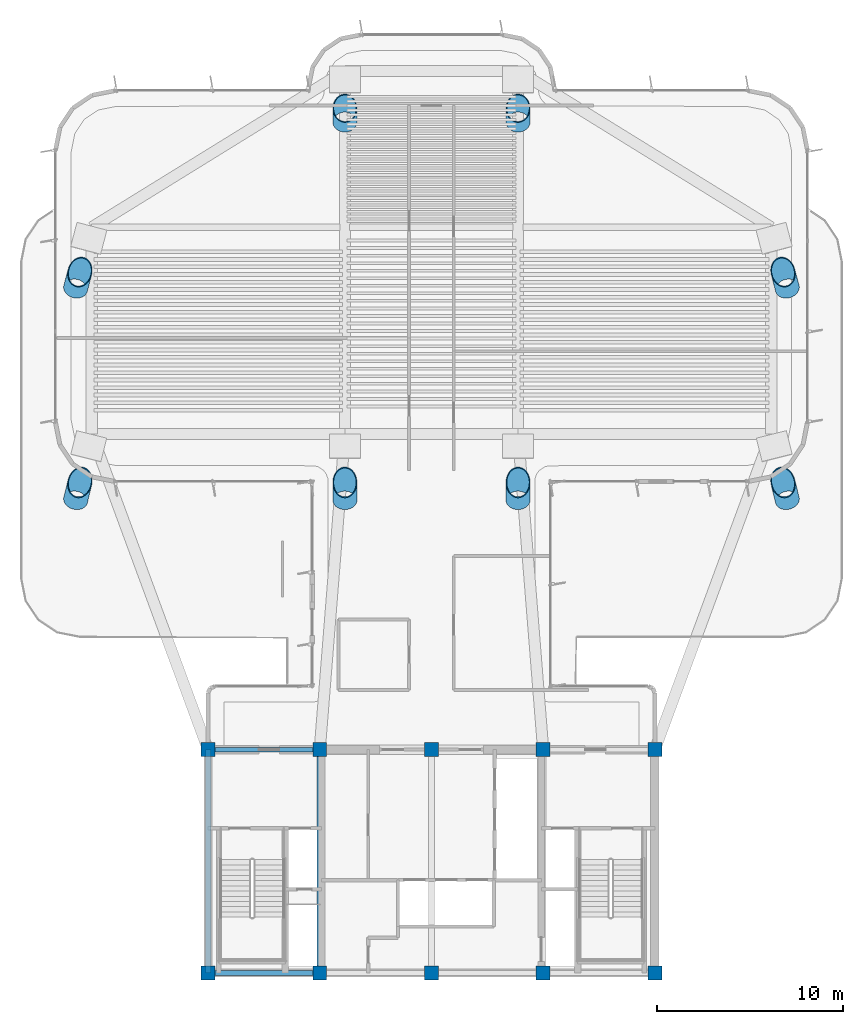
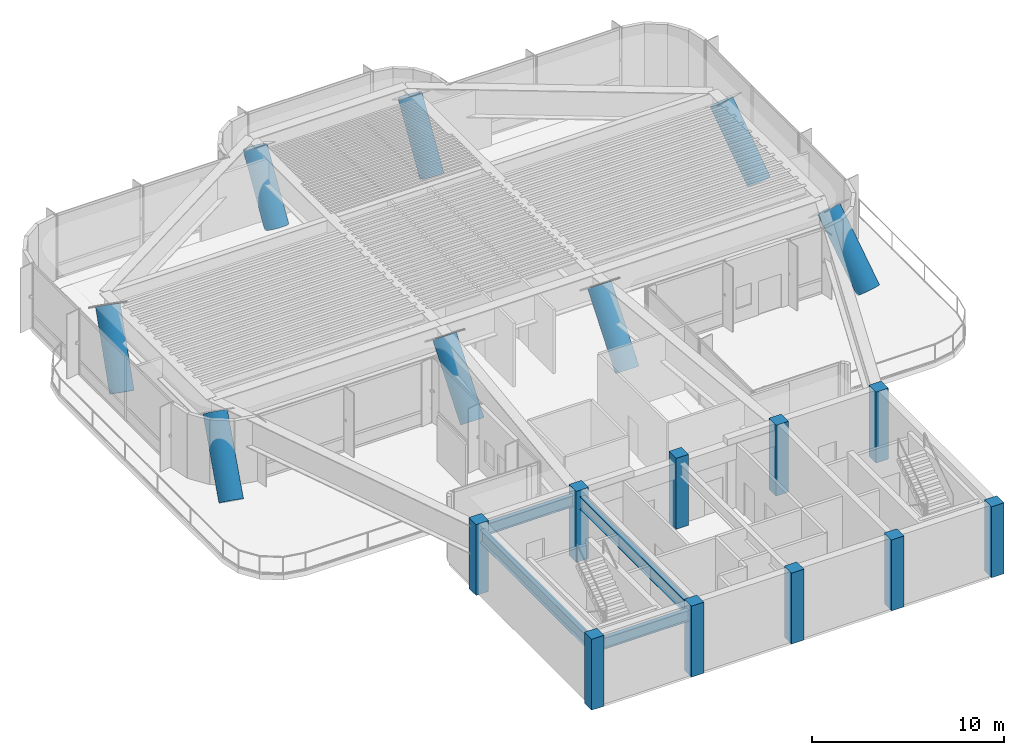
# One storey, part 1 of 13: 18 columns, 4 beams.
"""IFC4 building model written with IfcOpenShell, lengths in metres."""

import ifcopenshell
import ifcopenshell.guid

model = None  # the IFC model being written
_history = None  # IfcOwnerHistory: only IFC2X3 demands one
_inside = {}  # id of a spatial element -> (the spatial element, [elements in it])
_under = {}  # id of a project, library or spatial element -> (it, [spatial elements below it])
_declared = {}  # id of a project -> (the project, [libraries it declares])
_typed = {}  # id of a type object -> (the type object, [elements of that type])
_made_of = {}  # id of a material, layer set ... -> (it, [elements and type objects made of it])


def new_model(schema):
    """Start an empty IFC model of exactly this schema.

    Asked for "IFC4X3", IfcOpenShell would pick the latest addendum, in which some entities
    have other attributes; the version numbers below select the first issue.
    IFC2X3 requires an IfcOwnerHistory on every rooted entity: one is made here for all.
    """
    global model, _history
    if schema == "IFC4X3":
        model = ifcopenshell.file(schema_version=(4, 3, 0, 0))
    else:
        model = ifcopenshell.file(schema=schema)
    _inside.clear()
    _under.clear()
    _declared.clear()
    _typed.clear()
    _made_of.clear()
    _history = None
    if model.schema == "IFC2X3":
        org = make("IfcOrganization", Name="unknown")
        user = make(
            "IfcPersonAndOrganization",
            ThePerson=make("IfcPerson", FamilyName="unknown"),
            TheOrganization=org,
        )
        app = make(
            "IfcApplication",
            ApplicationDeveloper=org,
            Version="unknown",
            ApplicationFullName="unknown",
            ApplicationIdentifier="unknown",
        )
        _history = make(
            "IfcOwnerHistory",
            OwningUser=user,
            OwningApplication=app,
            ChangeAction="ADDED",
            CreationDate=0,
        )
    return model


def make(cls, **values):
    """One entity of the class cls with the attributes given. An attribute that is None is left unset."""
    return model.create_entity(
        cls, **{name: value for name, value in values.items() if value is not None}
    )


def rooted(cls, **values):
    """An entity with a GlobalId (a new one), such as an element, a storey or a relation."""
    return make(cls, GlobalId=ifcopenshell.guid.new(), OwnerHistory=_history, **values)


def si_unit(unit_type, name, prefix=None):
    """IfcSIUnit, for example si_unit("LENGTHUNIT", "METRE", prefix="MILLI")."""
    return make("IfcSIUnit", UnitType=unit_type, Prefix=prefix, Name=name)


def assignment(units):
    """IfcUnitAssignment: the units of a project."""
    return None if units is None else make("IfcUnitAssignment", Units=units)


def point(xyz):
    """IfcCartesianPoint."""
    return None if xyz is None else make("IfcCartesianPoint", Coordinates=xyz)


def direction(xyz):
    """IfcDirection."""
    return None if xyz is None else make("IfcDirection", DirectionRatios=xyz)


def frame(location, z_axis=None, x_axis=None):
    """IfcAxis2Placement3D, a coordinate frame: its origin and axes. An axis left out is left unset."""
    return make(
        "IfcAxis2Placement3D",
        Location=point(location),
        Axis=direction(z_axis),
        RefDirection=direction(x_axis),
    )


def frame_2d(location, x_axis=None):
    """IfcAxis2Placement2D, a coordinate frame in the plane: its origin and x axis."""
    return make(
        "IfcAxis2Placement2D", Location=point(location), RefDirection=direction(x_axis)
    )


def origin():
    """The frame at (0, 0, 0) with its axes left unset."""
    return frame((0.0, 0.0, 0.0))


def origin_2d():
    """The frame at (0, 0) in the plane with its x axis left unset."""
    return frame_2d((0.0, 0.0))


def place(relative_to, where):
    """IfcLocalPlacement: puts the frame where relative to a parent placement (None: the world)."""
    return make(
        "IfcLocalPlacement", PlacementRelTo=relative_to, RelativePlacement=where
    )


def context(
    kind, dimensions, precision=None, world=None, true_north=None, identifier=None
):
    """IfcGeometricRepresentationContext, for example the 3D "Model" context."""
    return make(
        "IfcGeometricRepresentationContext",
        ContextIdentifier=identifier,
        ContextType=kind,
        CoordinateSpaceDimension=dimensions,
        Precision=precision,
        WorldCoordinateSystem=world,
        TrueNorth=true_north,
    )


def subcontext(parent, identifier, kind, view, scale=None):
    """IfcGeometricRepresentationSubContext, for example "Body" below "Model"."""
    return make(
        "IfcGeometricRepresentationSubContext",
        ContextIdentifier=identifier,
        ContextType=kind,
        ParentContext=parent,
        TargetScale=scale,
        TargetView=view,
    )


def project(units=None, contexts=None):
    """IfcProject with its units and contexts."""
    return rooted(
        "IfcProject",
        Name="project",
        RepresentationContexts=contexts,
        UnitsInContext=assignment(units),
    )


def spatial(cls, under=None, at=None, **own):
    """A site, building, storey or space (cls), placed at a placement, below another one or the project."""
    s = rooted(cls, ObjectPlacement=at, **own)
    if under is not None:
        _under.setdefault(under.id(), (under, []))[1].append(s)
    return s


def profile(cls, at=None, kind="AREA", **sizes):
    """A parametric profile (cls). Its sizes go by their IFC names, for example OverallWidth=200.0."""
    return make(cls, ProfileType=kind, Position=at, **sizes)


def rectangle(**sizes):
    """IfcRectangleProfileDef."""
    return profile("IfcRectangleProfileDef", **sizes)


def hollow_circle(**sizes):
    """IfcCircleHollowProfileDef."""
    return profile("IfcCircleHollowProfileDef", **sizes)


def i_section(**sizes):
    """IfcIShapeProfileDef."""
    return profile("IfcIShapeProfileDef", **sizes)


def extrude(swept, where, along, depth):
    """IfcExtrudedAreaSolid: the profile swept, set in the frame where, extruded along a direction by depth."""
    return make(
        "IfcExtrudedAreaSolid",
        SweptArea=swept,
        Position=where,
        ExtrudedDirection=direction(along),
        Depth=depth,
    )


def shape(context_of_items, identifier, shape_type, items):
    """IfcShapeRepresentation: the items that make up one representation, for example the "Body"."""
    return make(
        "IfcShapeRepresentation",
        ContextOfItems=context_of_items,
        RepresentationIdentifier=identifier,
        RepresentationType=shape_type,
        Items=items,
    )


def source(mapping_origin, context_of_items, identifier, shape_type, items):
    """IfcRepresentationMap: a shape defined once, which mapped items show again and again."""
    return make(
        "IfcRepresentationMap",
        MappingOrigin=mapping_origin,
        MappedRepresentation=shape(context_of_items, identifier, shape_type, items),
    )


def transform(
    local_origin,
    x_axis=None,
    y_axis=None,
    z_axis=None,
    scale=None,
    scale2=None,
    scale3=None,
    uniform=True,
):
    """IfcCartesianTransformationOperator3D, or its non-uniform kind. x_axis, y_axis, z_axis: its Axis1, 2, 3."""
    if uniform:
        return make(
            "IfcCartesianTransformationOperator3D",
            Axis1=direction(x_axis),
            Axis2=direction(y_axis),
            LocalOrigin=point(local_origin),
            Scale=scale,
            Axis3=direction(z_axis),
        )
    return make(
        "IfcCartesianTransformationOperator3DnonUniform",
        Axis1=direction(x_axis),
        Axis2=direction(y_axis),
        LocalOrigin=point(local_origin),
        Scale=scale,
        Axis3=direction(z_axis),
        Scale2=scale2,
        Scale3=scale3,
    )


def mapped(mapping_source, mapping_target):
    """IfcMappedItem: shows the shape of a source again, moved by a transform."""
    return make(
        "IfcMappedItem", MappingSource=mapping_source, MappingTarget=mapping_target
    )


def material(Name=None, Category=None):
    """IfcMaterial."""
    return make("IfcMaterial", Name=Name, Category=Category)


def material_profile(
    of_material, cross_section, Name=None, Category=None, Priority=None
):
    """IfcMaterialProfile: a cross section and its material."""
    return make(
        "IfcMaterialProfile",
        Name=Name,
        Material=of_material,
        Profile=cross_section,
        Priority=Priority,
        Category=Category,
    )


def profile_set(profiles, Name=None, composite=None):
    """IfcMaterialProfileSet."""
    return make(
        "IfcMaterialProfileSet",
        Name=Name,
        MaterialProfiles=profiles,
        CompositeProfile=composite,
    )


def made_of(thing, what):
    """Note that an element or type object is made of a material, layer set ...; save() writes the relation."""
    if what is not None:
        _made_of.setdefault(what.id(), (what, []))[1].append(thing)
    return thing


def type_object(cls, material=None, **own):
    """A type object (cls), such as IfcWallType, which elements share."""
    return made_of(rooted(cls, **own), material)


def element(
    cls,
    number,
    at=None,
    inside=None,
    cuts=None,
    type_object=None,
    material=None,
    context=None,
    identifier="Body",
    shape_type=None,
    held_by="IfcProductDefinitionShape",
    body=None,
    shapes=None,
    **own,
):
    """One element of the class cls, such as IfcWall. Its Tag is "e" and its number.

    at: its placement. inside: the storey or other place that contains it. cuts: it is an
    opening in that element (IfcRelVoidsElement). A single representation is given by context,
    identifier, shape_type and body (its items); several are given by shapes. held_by: the class
    of the entity that holds the representations. save() writes the other relations.
    """
    e = rooted(cls, Tag="e%d" % number, ObjectPlacement=at, **own)
    if body is not None:
        shapes = [shape(context, identifier, shape_type, body)]
    if shapes is not None:
        e.Representation = make(held_by, Representations=shapes)
    if inside is not None:
        _inside.setdefault(inside.id(), (inside, []))[1].append(e)
    if cuts is not None:
        rooted(
            "IfcRelVoidsElement", RelatingBuildingElement=cuts, RelatedOpeningElement=e
        )
    if type_object is not None:
        _typed.setdefault(type_object.id(), (type_object, []))[1].append(e)
    return made_of(e, material)


def aggregate(whole, parts):
    """IfcRelAggregates: a whole, such as a stair, and the parts it consists of."""
    return rooted("IfcRelAggregates", RelatingObject=whole, RelatedObjects=parts)


def save(model, path):
    """Write the relations noted so far, then the file.

    IfcRelAggregates (storeys below a building ...), IfcRelContainedInSpatialStructure (elements
    in a storey), IfcRelDefinesByType, IfcRelAssociatesMaterial and IfcRelDeclares: one each for
    every whole, place, type object, material and project.
    """
    for whole, parts in _under.values():
        aggregate(whole, parts)
    for where, things in _inside.values():
        rooted(
            "IfcRelContainedInSpatialStructure",
            RelatedElements=things,
            RelatingStructure=where,
        )
    for kind, things in _typed.values():
        rooted("IfcRelDefinesByType", RelatedObjects=things, RelatingType=kind)
    for what, things in _made_of.values():
        rooted("IfcRelAssociatesMaterial", RelatedObjects=things, RelatingMaterial=what)
    for by, libraries in _declared.values():
        rooted("IfcRelDeclares", RelatingContext=by, RelatedDefinitions=libraries)
    model.write(path)


model = new_model("IFC4")

# Units and contexts
model_context = context("Model", 3, precision=1e-05, world=origin(), true_north=direction((0.0, 1.0)))
body_context = subcontext(model_context, "Body", "Model", "MODEL_VIEW")
ifc_project = project(units=[si_unit("LENGTHUNIT", "METRE"), si_unit("AREAUNIT", "SQUARE_METRE"), si_unit("VOLUMEUNIT", "CUBIC_METRE"), si_unit("PLANEANGLEUNIT", "RADIAN"), si_unit("MASSUNIT", "GRAM", prefix="KILO")], contexts=[model_context])

# Site, building, storey
site_placement = place(None, origin())
site = spatial("IfcSite", under=ifc_project, at=site_placement, CompositionType="ELEMENT")
building_placement = place(site_placement, origin())
building = spatial("IfcBuilding", under=site, at=building_placement, Name="Brelvock Crest Care Tower", CompositionType="ELEMENT")
storey_placement = place(building_placement, frame((0.0, 0.0, 151.919921875)))
storey = spatial("IfcBuildingStorey", under=building, at=storey_placement, Name="L38", CompositionType="ELEMENT", Elevation=151.919921875)

# Columns
ifc_material_1 = material(Name="Concrete S65 (65 MPa)", Category="concrete")
ifc_material_profile_1 = material_profile(ifc_material_1, rectangle(XDim=0.75, YDim=0.75, at=origin_2d()), Name="RC750x750")
ifc_profile_set_1 = profile_set([ifc_material_profile_1], Name="Concrete S65 (65 MPa)")
column_type_1 = type_object("IfcColumnType", Name="COL-RC3", PredefinedType="COLUMN", material=ifc_profile_set_1)
shared_shape_1 = source(origin(), body_context, "Body", "SweptSolid", [
    extrude(rectangle(XDim=0.75, YDim=0.75, at=origin_2d()), origin(), (0.0, 0.0, 1.0), 4.5),
])
for number, where, z_axis, x_axis, name in (
    (1, (24.0, 6.0, 0.0), (0.0, 0.0, 1.0), (1.0, 0.0, 0.0), "L38 Core Column CC-01"),
    (2, (30.0, 6.0, 0.0), (0.0, 0.0, 1.0), (1.0, 0.0, 0.0), "L38 Core Column CC-02"),
    (3, (36.0, 6.0, 0.0), (0.0, 0.0, 1.0), (1.0, 0.0, 0.0), "L38 Core Column CC-03"),
    (4, (42.0, 6.0, 0.0), (0.0, 0.0, 1.0), (1.0, 0.0, 0.0), "L38 Core Column CC-04"),
    (5, (48.0, 6.0, 0.0), (0.0, 0.0, 1.0), (1.0, 0.0, 0.0), "L38 Core Column CC-05"),
    (6, (24.0, 18.0, 0.0), (0.0, 0.0, 1.0), (1.0, 0.0, 0.0), "L38 Core Column CC-06"),
    (7, (30.0, 18.0, 0.0), (0.0, 0.0, 1.0), (1.0, 0.0, 0.0), "L38 Core Column CC-07"),
    (8, (36.0, 18.0, 0.0), (0.0, 0.0, 1.0), (1.0, 0.0, 0.0), "L38 Core Column CC-08"),
    (9, (42.0, 18.0, 0.0), (0.0, 0.0, 1.0), (1.0, 0.0, 0.0), "L38 Core Column CC-09"),
    (10, (48.0, 18.0, 0.0), (0.0, 0.0, 1.0), (1.0, 0.0, 0.0), "L38 Core Column CC-10"),
):
    element("IfcColumn", number, at=place(storey_placement, frame(where, z_axis=z_axis, x_axis=x_axis)), inside=storey, type_object=column_type_1, Name=name, PredefinedType="COLUMN", context=body_context, shape_type="MappedRepresentation", body=[
        mapped(shared_shape_1, transform((0.0, 0.0, 0.0), x_axis=(1.0, 0.0, 0.0), y_axis=(0.0, 1.0, 0.0), z_axis=(0.0, 0.0, 1.0), scale=1.0)),
    ])
ifc_material_2 = material(Name="Steel Grade 350", Category="steel")
ifc_material_profile_2 = material_profile(ifc_material_2, hollow_circle(Radius=0.64990234375, WallThickness=0.044921875, at=origin_2d()), Name="CFT1300x45")
ifc_profile_set_2 = profile_set([ifc_material_profile_2], Name="Steel Grade 350")
column_type_2 = type_object("IfcColumnType", Name="COL-MC2", PredefinedType="COLUMN", material=ifc_profile_set_2)
shared_shape_2 = source(origin(), body_context, "Body", "SweptSolid", [
    extrude(hollow_circle(Radius=0.64990234375, WallThickness=0.044921875, at=origin_2d()), origin(), (0.0, 0.0, 1.0), 4.716796875),
])
for number, where, z_axis, x_axis, name in (
    (11, (16.886474609375, 31.404541015625, 0.0), (0.149069248521, 0.611960321271, 0.77671289698), (-0.97158950951, 0.236672400185, 0.0), "L38 Raked Mega-Column M1"),
    (12, (55.113525390625, 31.404541015625, 0.0), (-0.149069248521, 0.611960321271, 0.77671289698), (-0.97158950951, -0.236672400185, 0.0), "L38 Raked Mega-Column M3"),
):
    element("IfcColumn", number, at=place(storey_placement, frame(where, z_axis=z_axis, x_axis=x_axis)), inside=storey, type_object=column_type_2, Name=name, PredefinedType="COLUMN", context=body_context, shape_type="MappedRepresentation", body=[
        mapped(shared_shape_2, transform((0.0, 0.0, 0.0), x_axis=(1.0, 0.0, 0.0), y_axis=(0.0, 1.0, 0.0), z_axis=(0.0, 0.0, 1.0), scale=1.0)),
    ])
shared_shape_3 = source(origin(), body_context, "Body", "SweptSolid", [
    extrude(hollow_circle(Radius=0.64990234375, WallThickness=0.044921875, at=origin_2d()), origin(), (0.0, 0.0, 1.0), 4.607666015625),
])
for number, where, z_axis, x_axis, name in (
    (13, (16.886474609375, 42.77734375, 0.0), (0.153340545343, 0.581199876249, 0.79918294589), (-0.966913345059, 0.255105043359, 0.0), "L38 Raked Mega-Column M2"),
    (14, (55.113525390625, 42.77734375, 0.0), (-0.153340545343, 0.581199876249, 0.79918294589), (-0.966913345059, -0.255105043359, 0.0), "L38 Raked Mega-Column M4"),
):
    element("IfcColumn", number, at=place(storey_placement, frame(where, z_axis=z_axis, x_axis=x_axis)), inside=storey, type_object=column_type_2, Name=name, PredefinedType="COLUMN", context=body_context, shape_type="MappedRepresentation", body=[
        mapped(shared_shape_3, transform((0.0, 0.0, 0.0), x_axis=(1.0, 0.0, 0.0), y_axis=(0.0, 1.0, 0.0), z_axis=(0.0, 0.0, 1.0), scale=1.0)),
    ])
shared_shape_4 = source(origin(), body_context, "Body", "SweptSolid", [
    extrude(hollow_circle(Radius=0.64990234375, WallThickness=0.044921875, at=origin_2d()), origin(), (0.0, 0.0, 1.0), 4.67333984375),
])
for number, where, z_axis, x_axis, name in (
    (15, (31.35009765625, 31.404541015625, 0.0), (0.0, 0.618854644838, 0.785505524209), (-1.0, 0.0, 0.0), "L38 Raked Mega-Column M5"),
    (16, (40.64990234375, 31.404541015625, 0.0), (0.0, 0.618854644838, 0.785505524209), (-1.0, 0.0, 0.0), "L38 Raked Mega-Column M6"),
):
    element("IfcColumn", number, at=place(storey_placement, frame(where, z_axis=z_axis, x_axis=x_axis)), inside=storey, type_object=column_type_2, Name=name, PredefinedType="COLUMN", context=body_context, shape_type="MappedRepresentation", body=[
        mapped(shared_shape_4, transform((0.0, 0.0, 0.0), x_axis=(1.0, 0.0, 0.0), y_axis=(0.0, 1.0, 0.0), z_axis=(0.0, 0.0, 1.0), scale=1.0)),
    ])
shared_shape_5 = source(origin(), body_context, "Body", "SweptSolid", [
    extrude(hollow_circle(Radius=0.64990234375, WallThickness=0.044921875, at=origin_2d()), origin(), (0.0, 0.0, 1.0), 4.36865234375),
])
for number, where, z_axis, x_axis, name in (
    (17, (31.35009765625, 51.72265625, 0.0), (0.0, 0.518320293793, 0.855186572066), (-1.0, 0.0, 0.0), "L38 Raked Mega-Column M7"),
    (18, (40.64990234375, 51.72265625, 0.0), (0.0, 0.518320293793, 0.855186572066), (-1.0, 0.0, 0.0), "L38 Raked Mega-Column M8"),
):
    element("IfcColumn", number, at=place(storey_placement, frame(where, z_axis=z_axis, x_axis=x_axis)), inside=storey, type_object=column_type_2, Name=name, PredefinedType="COLUMN", context=body_context, shape_type="MappedRepresentation", body=[
        mapped(shared_shape_5, transform((0.0, 0.0, 0.0), x_axis=(1.0, 0.0, 0.0), y_axis=(0.0, 1.0, 0.0), z_axis=(0.0, 0.0, 1.0), scale=1.0)),
    ])

# Beams
ifc_material_profile_3 = material_profile(ifc_material_2, i_section(OverallWidth=0.25, OverallDepth=0.699951171875, WebThickness=0.011962890625, FlangeThickness=0.02001953125, at=origin_2d()), Name="700WB150")
ifc_profile_set_3 = profile_set([ifc_material_profile_3], Name="Steel Grade 350")
beam_type_1 = type_object("IfcBeamType", Name="BM-G4", PredefinedType="BEAM", material=ifc_profile_set_3)
shared_shape_6 = source(origin(), body_context, "Body", "SweptSolid", [
    extrude(i_section(OverallWidth=0.25, OverallDepth=0.699951171875, WebThickness=0.011962890625, FlangeThickness=0.02001953125, at=origin_2d()), origin(), (0.0, 0.0, 1.0), 6.0),
])
for number, where, z_axis, x_axis, name in (
    (19, (24.0, 6.0, 3.7421875), (1.0, 0.0, 0.0), (0.0, 1.0, 0.0), "BM-CORES-L38-1"),
    (20, (24.0, 18.0, 3.7421875), (1.0, 0.0, 0.0), (0.0, 1.0, 0.0), "BM-COREN-L38-1"),
):
    element("IfcBeam", number, at=place(storey_placement, frame(where, z_axis=z_axis, x_axis=x_axis)), inside=storey, type_object=beam_type_1, Name=name, PredefinedType="BEAM", context=body_context, shape_type="MappedRepresentation", body=[
        mapped(shared_shape_6, transform((0.0, 0.0, 0.0), x_axis=(1.0, 0.0, 0.0), y_axis=(0.0, 1.0, 0.0), z_axis=(0.0, 0.0, 1.0), scale=1.0)),
    ])
ifc_material_profile_4 = material_profile(ifc_material_2, i_section(OverallWidth=0.300048828125, OverallDepth=0.800048828125, WebThickness=0.013916015625, FlangeThickness=0.02197265625, at=origin_2d()), Name="800WB192")
ifc_profile_set_4 = profile_set([ifc_material_profile_4], Name="Steel Grade 350")
beam_type_2 = type_object("IfcBeamType", Name="BM-G5", PredefinedType="BEAM", material=ifc_profile_set_4)
shared_shape_7 = source(origin(), body_context, "Body", "SweptSolid", [
    extrude(i_section(OverallWidth=0.300048828125, OverallDepth=0.800048828125, WebThickness=0.013916015625, FlangeThickness=0.02197265625, at=origin_2d()), origin(), (0.0, 0.0, 1.0), 12.0),
])
for number, where, z_axis, x_axis, name in (
    (21, (24.0, 6.0, 3.692138671875), (0.0, 1.0, 0.0), (-1.0, 0.0, 0.0), "BM-COREX-L38-1"),
    (22, (30.0, 6.0, 3.692138671875), (0.0, 1.0, 0.0), (-1.0, 0.0, 0.0), "BM-COREX-L38-2"),
):
    element("IfcBeam", number, at=place(storey_placement, frame(where, z_axis=z_axis, x_axis=x_axis)), inside=storey, type_object=beam_type_2, Name=name, PredefinedType="BEAM", context=body_context, shape_type="MappedRepresentation", body=[
        mapped(shared_shape_7, transform((0.0, 0.0, 0.0), x_axis=(1.0, 0.0, 0.0), y_axis=(0.0, 1.0, 0.0), z_axis=(0.0, 0.0, 1.0), scale=1.0)),
    ])

save(model, "model.ifc")
